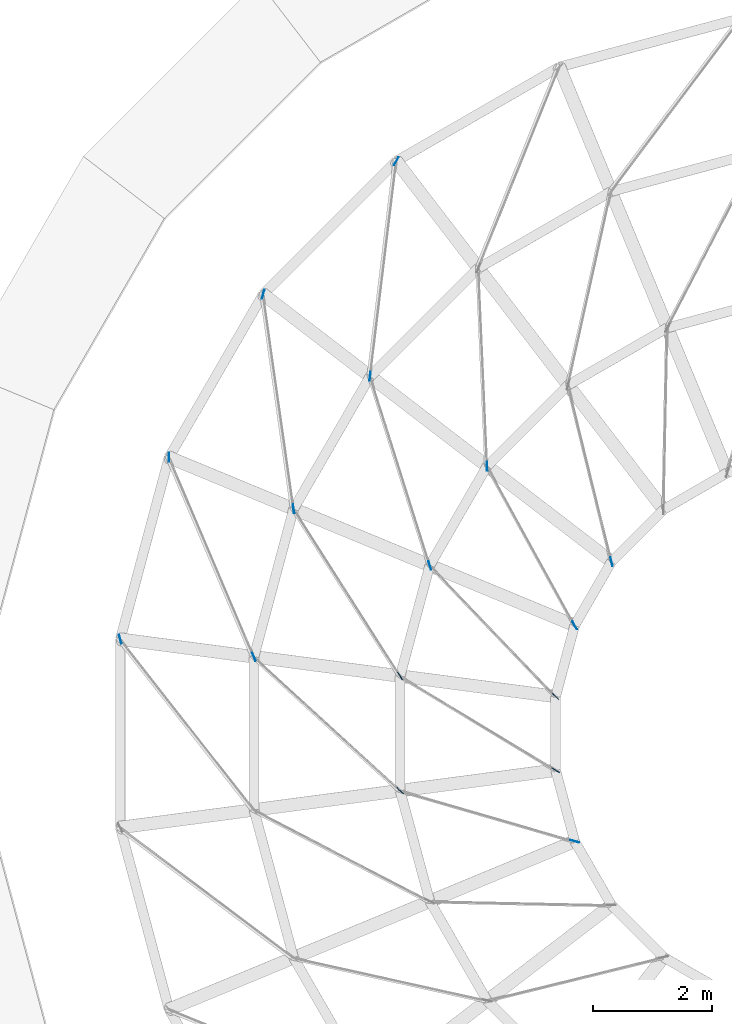
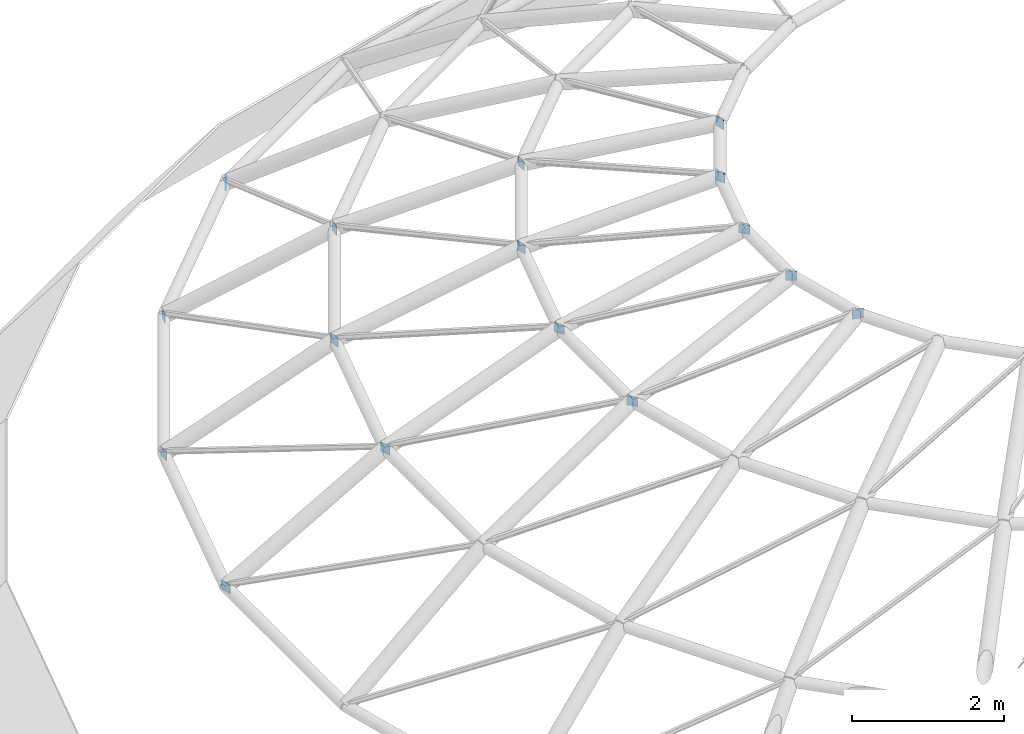
# One storey, part 22 of 33: 16 discrete accessories.
"""IFC4 building model written with IfcOpenShell, lengths in metres."""

from ifc_helpers import new_model, si_unit, direction, frame, origin, origin_2d, place, context, subcontext, project, spatial, rectangle, extrude, material, type_object, element, save


model = new_model("IFC4")

# Units and contexts
model_context = context("Model", 3, precision=1e-05, world=origin(), true_north=direction((0.0, 1.0)))
body_context = subcontext(model_context, "Body", "Model", "MODEL_VIEW")
ifc_project = project(units=[si_unit("LENGTHUNIT", "METRE"), si_unit("AREAUNIT", "SQUARE_METRE"), si_unit("VOLUMEUNIT", "CUBIC_METRE"), si_unit("PLANEANGLEUNIT", "RADIAN"), si_unit("MASSUNIT", "GRAM", prefix="KILO")], contexts=[model_context])

# Site, building, storey
site_placement = place(None, origin())
site = spatial("IfcSite", under=ifc_project, at=site_placement, CompositionType="ELEMENT")
building_placement = place(site_placement, origin())
building = spatial("IfcBuilding", under=site, at=building_placement, Name="Hortulan Conservatory and Botanical Research Centre", CompositionType="ELEMENT")
storey_placement = place(building_placement, frame((0.0, 0.0, 19.199951171875)))
storey = spatial("IfcBuildingStorey", under=building, at=storey_placement, Name="L04", CompositionType="ELEMENT", Elevation=19.199951171875)

# Discrete accessories
ifc_material = material(Name="Steel Grade 300 plate (AS/NZS 3678, 280 MPa minimum yield)", Category="steel")
discrete_accessory_type = type_object("IfcDiscreteAccessoryType", Name="End Plate 150x10", PredefinedType="BRACKET", material=ifc_material)
for number, where, z_axis, x_axis, name in (
    (1, (42.00341796875, 19.579345703125, 0.361572265625), (0.0, 0.0, 1.0), (0.26109423367, -0.965313317604, 0.0), "Dome rod end plate"),
    (2, (42.821044921875, 22.630615234375, 0.361572265625), (0.0, 0.0, 1.0), (0.002373645554, -0.999997182899, 0.0), "Dome rod end plate"),
    (3, (44.246337890625, 19.2841796875, 1.972900390625), (0.0, 0.0, 1.0), (0.391855445435, -0.920026798459, 0.0), "Dome rod end plate"),
    (4, (44.400390625, 25.365966796875, 0.361572265625), (0.0, 0.0, 1.0), (0.256542419662, 0.966532972492, 0.0), "Dome rod end plate"),
    (5, (44.9111328125, 21.764892578125, 1.972900390625), (0.0, 0.0, 1.0), (0.140417398302, -0.990092396827, 0.0), "Dome rod end plate"),
    (6, (46.195068359375, 23.989013671875, 1.972900390625), (0.0, 0.0, 1.0), (0.120673954637, 0.992692196339, 0.0), "Dome rod end plate"),
    (7, (46.634033203125, 27.599609375, 0.361572265625), (0.0, 0.0, 1.0), (0.497958089691, 0.867201096005, 0.0), "Dome rod end plate"),
    (8, (46.698486328125, 17.038818359375, 3.236083984375), (0.0, 0.0, 1.0), (0.737536690471, -0.675307063645, 0.0), "Dome rod end plate"),
    (9, (46.698486328125, 18.961181640625, 3.236083984375), (0.0, 0.0, 1.0), (0.537593974759, -0.84320384149, 0.0), "Dome rod end plate"),
    (10, (47.1962890625, 20.818115234375, 3.236083984375), (0.0, 0.0, 1.0), (0.301088621787, -0.953596162865, 0.0), "Dome rod end plate"),
    (11, (48.157470703125, 22.483154296875, 3.236083984375), (0.0, 0.0, 1.0), (0.044002991119, -0.999031399293, 0.0), "Dome rod end plate"),
    (12, (49.3076171875, 17.382080078125, 4.124755859375), (0.0, 0.0, 1.0), (0.855508887238, -0.517788126416, 0.0), "Dome rod end plate"),
    (13, (49.3076171875, 18.617919921875, 4.124755859375), (0.0, 0.0, 1.0), (0.692344700359, -0.721566917122, 0.0), "Dome rod end plate"),
    (14, (49.627197265625, 16.188720703125, 4.124755859375), (0.0, 0.0, 1.0), (0.960371557247, -0.278722930579, 0.0), "Dome rod end plate"),
    (15, (49.627197265625, 19.811279296875, 4.124755859375), (0.0, 0.0, 1.0), (0.481998366304, -0.876172114873, 0.0), "Dome rod end plate"),
    (16, (50.2451171875, 20.88134765625, 4.124755859375), (0.0, 0.0, 1.0), (0.238821588416, -0.971063462862, 0.0), "Dome rod end plate"),
):
    element("IfcDiscreteAccessory", number, at=place(storey_placement, frame(where, z_axis=z_axis, x_axis=x_axis)), inside=storey, type_object=discrete_accessory_type, Name=name, PredefinedType="BRACKET", context=body_context, shape_type="SweptSolid", body=[
        extrude(rectangle(XDim=0.14990234375, YDim=0.010009765625, at=origin_2d()), origin(), (0.0, 0.0, 1.0), 0.14990234375),
    ])

save(model, "model.ifc")
